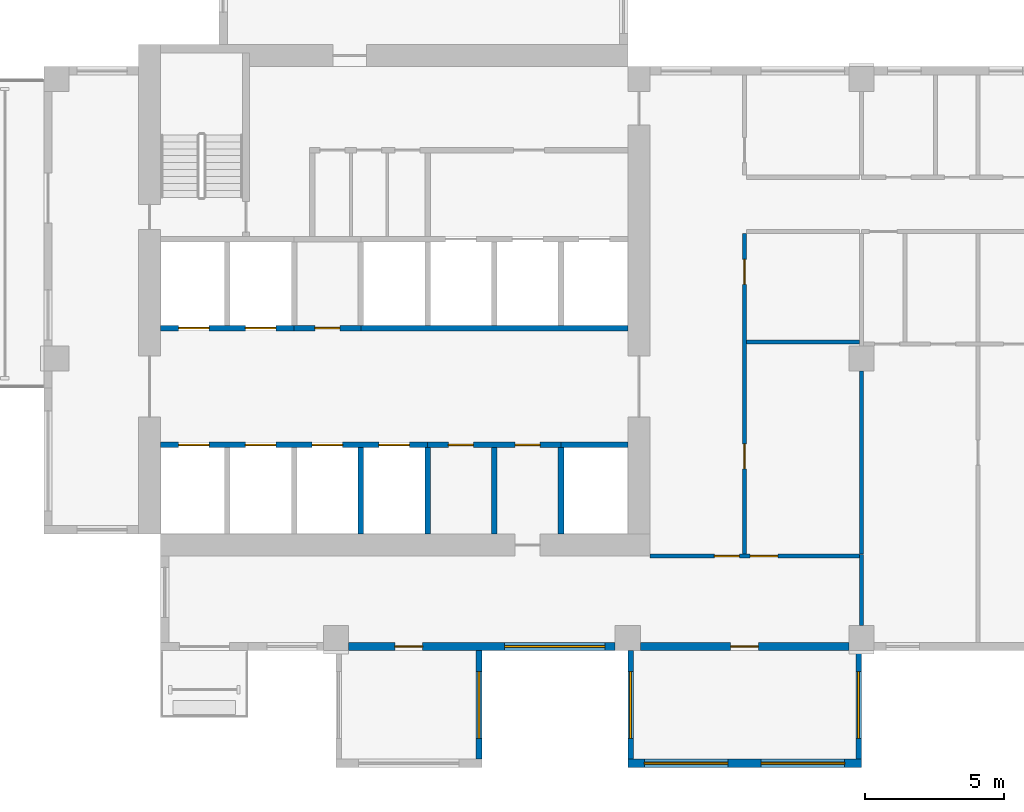
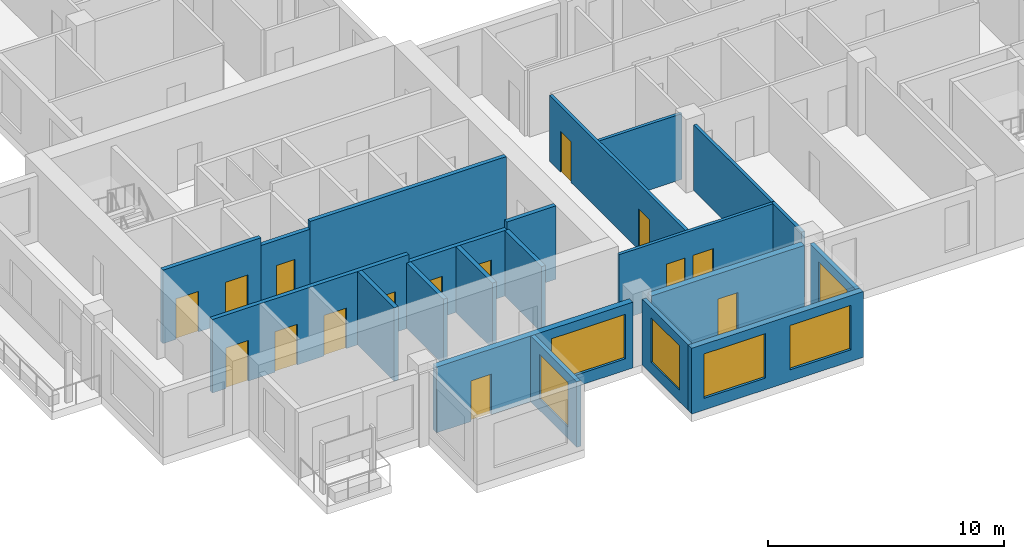
# One storey, part 2 of 12: 21 walls, 15 doors, 6 windows, 21 openings.
"""IFC4 building model written with IfcOpenShell, lengths in metres."""

from ifc_helpers import new_model, si_unit, direction, frame, frame_2d, origin, place, context, subcontext, project, spatial, rectangle, extrude, source, transform, mapped, material, layer, layer_set, type_object, element, fill, save


model = new_model("IFC4")

# Units and contexts
model_context = context("Model", 3, precision=1e-05, world=origin(), true_north=direction((0.0, 1.0)))
body_context = subcontext(model_context, "Body", "Model", "MODEL_VIEW")
ifc_project = project(units=[si_unit("LENGTHUNIT", "METRE"), si_unit("AREAUNIT", "SQUARE_METRE"), si_unit("VOLUMEUNIT", "CUBIC_METRE"), si_unit("PLANEANGLEUNIT", "RADIAN"), si_unit("MASSUNIT", "GRAM", prefix="KILO")], contexts=[model_context])

# Site, building, storey
site_placement = place(None, origin())
site = spatial("IfcSite", under=ifc_project, at=site_placement, CompositionType="ELEMENT")
building_placement = place(site_placement, origin())
building = spatial("IfcBuilding", under=site, at=building_placement, Name="Aurelian Terraces", CompositionType="ELEMENT")
storey_placement = place(building_placement, frame((0.0, 0.0, 223.4)))
storey = spatial("IfcBuildingStorey", under=building, at=storey_placement, Name="L50", CompositionType="ELEMENT", Elevation=223.4)

# Wall, openings, windows
ifc_material_1 = material(Name="Concrete fc' 40 MPa", Category="concrete")
ifc_layer_1 = layer(ifc_material_1, 0.3)
ifc_layer_set_1 = layer_set([ifc_layer_1], Name="BOX BEARING WALL 300")
wall_type_1 = type_object("IfcWallType", Name="BOX BEARING WALL 300", PredefinedType="SOLIDWALL", material=ifc_layer_set_1)
wall_1_placement = place(storey_placement, frame((21.0, -4.05, 0.0), z_axis=(0.0, 0.0, 1.0), x_axis=(1.0, 0.0, 0.0)))
wall_1 = element("IfcWall", 1, at=wall_1_placement, inside=storey, type_object=wall_type_1, Name="Box wall L50 J71", PredefinedType="SOLIDWALL", context=body_context, shape_type="SweptSolid", body=[
    extrude(rectangle(XDim=8.4, YDim=0.3, at=frame_2d((4.2, 0.0))), origin(), (0.0, 0.0, 1.0), 3.4),
])
shared_shape_1 = source(origin(), body_context, "Body", "SweptSolid", [
    extrude(rectangle(XDim=3.0, YDim=2.3, at=frame_2d((1.5, 1.15))), frame((0.0, 0.16, 0.0), z_axis=(0.0, -1.0, 0.0), x_axis=(1.0, 0.0, 0.0)), (0.0, 0.0, 1.0), 0.32),
])
opening_1_placement = place(wall_1_placement, frame((0.6, 0.0, 0.6)))
opening_1 = element("IfcOpeningElement", 2, at=opening_1_placement, cuts=wall_1, Name="Opening W3023", PredefinedType="OPENING", context=body_context, shape_type="MappedRepresentation", body=[
    mapped(shared_shape_1, transform((0.0, 0.0, 0.0), scale=1.0)),
])
opening_2_placement = place(wall_1_placement, frame((4.8, 0.0, 0.6)))
opening_2 = element("IfcOpeningElement", 3, at=opening_2_placement, cuts=wall_1, Name="Opening W3023", PredefinedType="OPENING", context=body_context, shape_type="MappedRepresentation", body=[
    mapped(shared_shape_1, transform((0.0, 0.0, 0.0), scale=1.0)),
])
ifc_material_2 = material(Name="Clear glazing", Category="glass")
window_type_1 = type_object("IfcWindowType", Name="W-3000x2300", PartitioningType="SINGLE_PANEL", PredefinedType="WINDOW", material=ifc_material_2)
shared_shape_2 = source(origin(), body_context, "Body", "SweptSolid", [
    extrude(rectangle(XDim=3.0, YDim=2.3, at=frame_2d((1.5, 1.15))), frame((0.0, 0.03, 0.0), z_axis=(0.0, -1.0, 0.0), x_axis=(1.0, 0.0, 0.0)), (0.0, 0.0, 1.0), 0.06),
])
window_1_placement = place(opening_1_placement, origin())
window_1 = element("IfcWindow", 4, at=window_1_placement, inside=storey, type_object=window_type_1, Name="Window L50 J71-F1", OverallHeight=2.3, OverallWidth=3.0, PartitioningType="SINGLE_PANEL", PredefinedType="WINDOW", context=body_context, shape_type="MappedRepresentation", body=[
    mapped(shared_shape_2, transform((0.0, 0.0, 0.0), scale=1.0)),
])
fill(opening_1, window_1)
window_2_placement = place(opening_2_placement, origin())
window_2 = element("IfcWindow", 5, at=window_2_placement, inside=storey, type_object=window_type_1, Name="Window L50 J71-F2", OverallHeight=2.3, OverallWidth=3.0, PartitioningType="SINGLE_PANEL", PredefinedType="WINDOW", context=body_context, shape_type="MappedRepresentation", body=[
    mapped(shared_shape_2, transform((0.0, 0.0, 0.0), scale=1.0)),
])
fill(opening_2, window_2)

# Wall
ifc_material_3 = material(Name="Gypsum board on steel studs", Category="steel")
ifc_layer_2 = layer(ifc_material_3, 0.15)
ifc_layer_set_2 = layer_set([ifc_layer_2], Name="Partition 150")
wall_type_2 = type_object("IfcWallType", Name="Partition 150", PredefinedType="PARTITIONING", material=ifc_layer_set_2)
wall_2_placement = place(storey_placement, frame((29.325, 11.1, 0.0), z_axis=(0.0, 0.0, 1.0), x_axis=(-1.0, 0.0, 0.0)))
element("IfcWall", 6, at=wall_2_placement, inside=storey, type_object=wall_type_2, Name="Partition", PredefinedType="PARTITIONING", context=body_context, shape_type="SweptSolid", body=[
    extrude(rectangle(XDim=4.05, YDim=0.15, at=frame_2d((2.025, 0.0))), origin(), (0.0, 0.0, 1.0), 3.4),
])

# Wall, opening, door
ifc_material_4 = material(Name="Terracotta rainscreen cladding", Category="masonry")
ifc_layer_3 = layer(ifc_material_4, 0.3)
ifc_layer_set_3 = layer_set([ifc_layer_3], Name="EW-300")
wall_type_3 = type_object("IfcWallType", Name="EW-300", PredefinedType="STANDARD", material=ifc_layer_set_3)
shared_shape_3 = source(origin(), body_context, "Body", "SweptSolid", [
    extrude(rectangle(XDim=7.5, YDim=0.3, at=frame_2d((3.75, 0.0))), origin(), (0.0, 0.0, 1.0), 3.4),
])
wall_3_placement = place(storey_placement, frame((21.45, 0.15, 0.0), z_axis=(0.0, 0.0, 1.0), x_axis=(1.0, 0.0, 0.0)))
wall_3 = element("IfcWall", 7, at=wall_3_placement, inside=storey, type_object=wall_type_3, Name="External wall L50 F01.4", PredefinedType="STANDARD", context=body_context, shape_type="MappedRepresentation", body=[
    mapped(shared_shape_3, transform((0.0, 0.0, 0.0), scale=1.0)),
])
shared_shape_4 = source(origin(), body_context, "Body", "SweptSolid", [
    extrude(rectangle(XDim=1.0, YDim=2.1, at=frame_2d((0.5, 1.05))), frame((0.0, 0.16, 0.0), z_axis=(0.0, -1.0, 0.0), x_axis=(1.0, 0.0, 0.0)), (0.0, 0.0, 1.0), 0.32),
])
opening_3_placement = place(wall_3_placement, frame((3.25, 0.0, 0.0)))
opening_3 = element("IfcOpeningElement", 8, at=opening_3_placement, cuts=wall_3, Name="Opening 850002", PredefinedType="OPENING", context=body_context, shape_type="MappedRepresentation", body=[
    mapped(shared_shape_4, transform((0.0, 0.0, 0.0), scale=1.0)),
])
ifc_material_5 = material(Name="Timber door leaf", Category="wood")
door_type_1 = type_object("IfcDoorType", Name="Room door 1000x2100 left", OperationType="SINGLE_SWING_LEFT", PredefinedType="DOOR", material=ifc_material_5)
shared_shape_5 = source(origin(), body_context, "Body", "SweptSolid", [
    extrude(rectangle(XDim=1.0, YDim=2.1, at=frame_2d((0.5, 1.05))), frame((0.0, 0.025, 0.0), z_axis=(0.0, -1.0, 0.0), x_axis=(1.0, 0.0, 0.0)), (0.0, 0.0, 1.0), 0.05),
])
door_1_placement = place(opening_3_placement, origin())
door_1 = element("IfcDoor", 9, at=door_1_placement, inside=storey, type_object=door_type_1, Name="Door 850002", OperationType="SINGLE_SWING_LEFT", OverallHeight=2.1, OverallWidth=1.0, PredefinedType="DOOR", context=body_context, shape_type="MappedRepresentation", body=[
    mapped(shared_shape_5, transform((0.0, 0.0, 0.0), scale=1.0)),
])
fill(opening_3, door_1)

# Wall, opening, window
ifc_layer_4 = layer(ifc_material_1, 0.2)
ifc_layer_set_4 = layer_set([ifc_layer_4], Name="BOX BEARING WALL 200")
wall_type_4 = type_object("IfcWallType", Name="BOX BEARING WALL 200", PredefinedType="SOLIDWALL", material=ifc_layer_set_4)
shared_shape_6 = source(origin(), body_context, "Body", "SweptSolid", [
    extrude(rectangle(XDim=3.9, YDim=0.2, at=frame_2d((1.95, 0.0))), origin(), (0.0, 0.0, 1.0), 3.4),
])
wall_4_placement = place(storey_placement, frame((15.65, 0.0, 0.0), z_axis=(0.0, 0.0, 1.0), x_axis=(0.0, -1.0, 0.0)))
wall_4 = element("IfcWall", 10, at=wall_4_placement, inside=storey, type_object=wall_type_4, Name="Box return L50 J70.2", PredefinedType="SOLIDWALL", context=body_context, shape_type="MappedRepresentation", body=[
    mapped(shared_shape_6, transform((0.0, 0.0, 0.0), scale=1.0)),
])
shared_shape_7 = source(origin(), body_context, "Body", "SweptSolid", [
    extrude(rectangle(XDim=2.4, YDim=2.3, at=frame_2d((1.2, 1.15))), frame((0.0, 0.11, 0.0), z_axis=(0.0, -1.0, 0.0), x_axis=(1.0, 0.0, 0.0)), (0.0, 0.0, 1.0), 0.22),
])
opening_4_placement = place(wall_4_placement, frame((0.75, 0.0, 0.6)))
opening_4 = element("IfcOpeningElement", 11, at=opening_4_placement, cuts=wall_4, Name="Opening W2423", PredefinedType="OPENING", context=body_context, shape_type="MappedRepresentation", body=[
    mapped(shared_shape_7, transform((0.0, 0.0, 0.0), scale=1.0)),
])
window_type_2 = type_object("IfcWindowType", Name="W-2400x2300", PartitioningType="SINGLE_PANEL", PredefinedType="WINDOW", material=ifc_material_2)
shared_shape_8 = source(origin(), body_context, "Body", "SweptSolid", [
    extrude(rectangle(XDim=2.4, YDim=2.3, at=frame_2d((1.2, 1.15))), frame((0.0, 0.03, 0.0), z_axis=(0.0, -1.0, 0.0), x_axis=(1.0, 0.0, 0.0)), (0.0, 0.0, 1.0), 0.06),
])
window_3_placement = place(opening_4_placement, origin())
window_3 = element("IfcWindow", 12, at=window_3_placement, inside=storey, type_object=window_type_2, Name="Window L50 J70-S2", OverallHeight=2.3, OverallWidth=2.4, PartitioningType="SINGLE_PANEL", PredefinedType="WINDOW", context=body_context, shape_type="MappedRepresentation", body=[
    mapped(shared_shape_8, transform((0.0, 0.0, 0.0), scale=1.0)),
])
fill(opening_4, window_3)

wall_5_placement = place(storey_placement, frame((21.1, 0.0, 0.0), z_axis=(0.0, 0.0, 1.0), x_axis=(0.0, -1.0, 0.0)))
wall_5 = element("IfcWall", 13, at=wall_5_placement, inside=storey, type_object=wall_type_4, Name="Box return L50 J71.1", PredefinedType="SOLIDWALL", context=body_context, shape_type="MappedRepresentation", body=[
    mapped(shared_shape_6, transform((0.0, 0.0, 0.0), scale=1.0)),
])
opening_5_placement = place(wall_5_placement, frame((0.75, 0.0, 0.6)))
opening_5 = element("IfcOpeningElement", 14, at=opening_5_placement, cuts=wall_5, Name="Opening W2423", PredefinedType="OPENING", context=body_context, shape_type="MappedRepresentation", body=[
    mapped(shared_shape_7, transform((0.0, 0.0, 0.0), scale=1.0)),
])
window_4_placement = place(opening_5_placement, origin())
window_4 = element("IfcWindow", 15, at=window_4_placement, inside=storey, type_object=window_type_2, Name="Window L50 J71-S1", OverallHeight=2.3, OverallWidth=2.4, PartitioningType="SINGLE_PANEL", PredefinedType="WINDOW", context=body_context, shape_type="MappedRepresentation", body=[
    mapped(shared_shape_8, transform((0.0, 0.0, 0.0), scale=1.0)),
])
fill(opening_5, window_4)

wall_6_placement = place(storey_placement, frame((29.3, 0.0, 0.0), z_axis=(0.0, 0.0, 1.0), x_axis=(0.0, -1.0, 0.0)))
wall_6 = element("IfcWall", 16, at=wall_6_placement, inside=storey, type_object=wall_type_4, Name="Box return L50 J71.2", PredefinedType="SOLIDWALL", context=body_context, shape_type="MappedRepresentation", body=[
    mapped(shared_shape_6, transform((0.0, 0.0, 0.0), scale=1.0)),
])
opening_6_placement = place(wall_6_placement, frame((0.75, 0.0, 0.6)))
opening_6 = element("IfcOpeningElement", 17, at=opening_6_placement, cuts=wall_6, Name="Opening W2423", PredefinedType="OPENING", context=body_context, shape_type="MappedRepresentation", body=[
    mapped(shared_shape_7, transform((0.0, 0.0, 0.0), scale=1.0)),
])
window_5_placement = place(opening_6_placement, origin())
window_5 = element("IfcWindow", 18, at=window_5_placement, inside=storey, type_object=window_type_2, Name="Window L50 J71-S2", OverallHeight=2.3, OverallWidth=2.4, PartitioningType="SINGLE_PANEL", PredefinedType="WINDOW", context=body_context, shape_type="MappedRepresentation", body=[
    mapped(shared_shape_8, transform((0.0, 0.0, 0.0), scale=1.0)),
])
fill(opening_6, window_5)

# Wall, openings, window, door
shared_shape_9 = source(origin(), body_context, "Body", "SweptSolid", [
    extrude(rectangle(XDim=9.6, YDim=0.3, at=frame_2d((4.8, 0.0))), origin(), (0.0, 0.0, 1.0), 3.4),
])
wall_7_placement = place(storey_placement, frame((10.95, 0.15, 0.0), z_axis=(0.0, 0.0, 1.0), x_axis=(1.0, 0.0, 0.0)))
wall_7 = element("IfcWall", 19, at=wall_7_placement, inside=storey, type_object=wall_type_3, Name="External wall L50 F01.3", PredefinedType="STANDARD", context=body_context, shape_type="MappedRepresentation", body=[
    mapped(shared_shape_9, transform((0.0, 0.0, 0.0), scale=1.0)),
])
shared_shape_10 = source(origin(), body_context, "Body", "SweptSolid", [
    extrude(rectangle(XDim=3.6, YDim=2.3, at=frame_2d((1.8, 1.15))), frame((0.0, 0.16, 0.0), z_axis=(0.0, -1.0, 0.0), x_axis=(1.0, 0.0, 0.0)), (0.0, 0.0, 1.0), 0.32),
])
opening_7_placement = place(wall_7_placement, frame((5.625, 0.0, 0.6)))
opening_7 = element("IfcOpeningElement", 20, at=opening_7_placement, cuts=wall_7, Name="Opening W3623", PredefinedType="OPENING", context=body_context, shape_type="MappedRepresentation", body=[
    mapped(shared_shape_10, transform((0.0, 0.0, 0.0), scale=1.0)),
])
opening_8_placement = place(wall_7_placement, frame((1.675, 0.0, 0.0)))
opening_8 = element("IfcOpeningElement", 21, at=opening_8_placement, cuts=wall_7, Name="Opening 850001", PredefinedType="OPENING", context=body_context, shape_type="MappedRepresentation", body=[
    mapped(shared_shape_4, transform((0.0, 0.0, 0.0), scale=1.0)),
])
window_type_3 = type_object("IfcWindowType", Name="W-3600x2300", PartitioningType="SINGLE_PANEL", PredefinedType="WINDOW", material=ifc_material_2)
shared_shape_11 = source(origin(), body_context, "Body", "SweptSolid", [
    extrude(rectangle(XDim=3.6, YDim=2.3, at=frame_2d((1.8, 1.15))), frame((0.0, 0.03, 0.0), z_axis=(0.0, -1.0, 0.0), x_axis=(1.0, 0.0, 0.0)), (0.0, 0.0, 1.0), 0.06),
])
window_6_placement = place(opening_7_placement, origin())
window_6 = element("IfcWindow", 22, at=window_6_placement, inside=storey, type_object=window_type_3, Name="Window L50 L50-F01-03-1", OverallHeight=2.3, OverallWidth=3.6, PartitioningType="SINGLE_PANEL", PredefinedType="WINDOW", context=body_context, shape_type="MappedRepresentation", body=[
    mapped(shared_shape_11, transform((0.0, 0.0, 0.0), scale=1.0)),
])
fill(opening_7, window_6)
door_2_placement = place(opening_8_placement, origin())
door_2 = element("IfcDoor", 23, at=door_2_placement, inside=storey, type_object=door_type_1, Name="Door 850001", OperationType="SINGLE_SWING_LEFT", OverallHeight=2.1, OverallWidth=1.0, PredefinedType="DOOR", context=body_context, shape_type="MappedRepresentation", body=[
    mapped(shared_shape_5, transform((0.0, 0.0, 0.0), scale=1.0)),
])
fill(opening_8, door_2)

# Walls
ifc_layer_5 = layer(ifc_material_1, 0.2)
ifc_layer_set_5 = layer_set([ifc_layer_5], Name="Lift shaft wall 200")
wall_type_5 = type_object("IfcWallType", Name="Lift shaft wall 200", PredefinedType="SOLIDWALL", material=ifc_layer_set_5)
shared_shape_12 = source(origin(), body_context, "Body", "SweptSolid", [
    extrude(rectangle(XDim=3.1, YDim=0.2, at=frame_2d((1.55, 0.0))), origin(), (0.0, 0.0, 1.0), 3.8),
])
wall_8_placement = place(storey_placement, frame((11.4, 4.2, 0.0), z_axis=(0.0, 0.0, 1.0), x_axis=(0.0, 1.0, 0.0)))
element("IfcWall", 24, at=wall_8_placement, inside=storey, type_object=wall_type_5, Name="L50 core wall CD-A3", PredefinedType="SOLIDWALL", context=body_context, shape_type="MappedRepresentation", body=[
    mapped(shared_shape_12, transform((0.0, 0.0, 0.0), scale=1.0)),
])
shared_shape_13 = source(origin(), body_context, "Body", "SweptSolid", [
    extrude(rectangle(XDim=3.1, YDim=0.2, at=frame_2d((1.55, 0.0))), origin(), (0.0, 0.0, 1.0), 3.4),
])
for number, where, z_axis, x_axis, name in (
    (25, (13.8, 4.2, 0.0), (0.0, 0.0, 1.0), (0.0, 1.0, 0.0), "L50 core wall CD-A4"),
    (26, (18.6, 4.2, 0.0), (0.0, 0.0, 1.0), (0.0, 1.0, 0.0), "L50 core wall CD-A6"),
):
    element("IfcWall", number, at=place(storey_placement, frame(where, z_axis=z_axis, x_axis=x_axis)), inside=storey, type_object=wall_type_5, Name=name, PredefinedType="SOLIDWALL", context=body_context, shape_type="MappedRepresentation", body=[
        mapped(shared_shape_13, transform((0.0, 0.0, 0.0), scale=1.0)),
    ])

# Wall, openings, doors
shared_shape_14 = source(origin(), body_context, "Body", "SweptSolid", [
    extrude(rectangle(XDim=9.6, YDim=0.2, at=frame_2d((4.8, 0.0))), origin(), (0.0, 0.0, 1.0), 3.8),
])
wall_9_placement = place(storey_placement, frame((4.2, 7.4, 0.0), z_axis=(0.0, 0.0, 1.0), x_axis=(1.0, 0.0, 0.0)))
wall_9 = element("IfcWall", 27, at=wall_9_placement, inside=storey, type_object=wall_type_5, Name="L50 core wall CF-AF1", PredefinedType="SOLIDWALL", context=body_context, shape_type="MappedRepresentation", body=[
    mapped(shared_shape_14, transform((0.0, 0.0, 0.0), scale=1.0)),
])
shared_shape_15 = source(origin(), body_context, "Body", "SweptSolid", [
    extrude(rectangle(XDim=1.1, YDim=2.1, at=frame_2d((0.55, 1.05))), frame((0.0, 0.11, 0.0), z_axis=(0.0, -1.0, 0.0), x_axis=(1.0, 0.0, 0.0)), (0.0, 0.0, 1.0), 0.22),
])
opening_9_placement = place(wall_9_placement, frame((0.65, 0.0, 0.0)))
opening_9 = element("IfcOpeningElement", 28, at=opening_9_placement, cuts=wall_9, Name="Opening 65300", PredefinedType="OPENING", context=body_context, shape_type="MappedRepresentation", body=[
    mapped(shared_shape_15, transform((0.0, 0.0, 0.0), scale=1.0)),
])
opening_10_placement = place(wall_9_placement, frame((3.05, 0.0, 0.0)))
opening_10 = element("IfcOpeningElement", 29, at=opening_10_placement, cuts=wall_9, Name="Opening 65301", PredefinedType="OPENING", context=body_context, shape_type="MappedRepresentation", body=[
    mapped(shared_shape_15, transform((0.0, 0.0, 0.0), scale=1.0)),
])
opening_11_placement = place(wall_9_placement, frame((5.45, 0.0, 0.0)))
opening_11 = element("IfcOpeningElement", 30, at=opening_11_placement, cuts=wall_9, Name="Opening 65302", PredefinedType="OPENING", context=body_context, shape_type="MappedRepresentation", body=[
    mapped(shared_shape_15, transform((0.0, 0.0, 0.0), scale=1.0)),
])
opening_12_placement = place(wall_9_placement, frame((7.85, 0.0, 0.0)))
opening_12 = element("IfcOpeningElement", 31, at=opening_12_placement, cuts=wall_9, Name="Opening 65303", PredefinedType="OPENING", context=body_context, shape_type="MappedRepresentation", body=[
    mapped(shared_shape_15, transform((0.0, 0.0, 0.0), scale=1.0)),
])
ifc_material_6 = material(Name="Stainless steel", Category="steel")
door_type_2 = type_object("IfcDoorType", Name="Lift landing door 1100x2100", OperationType="SLIDING_TO_LEFT", PredefinedType="DOOR", material=ifc_material_6)
shared_shape_16 = source(origin(), body_context, "Body", "SweptSolid", [
    extrude(rectangle(XDim=1.1, YDim=2.1, at=frame_2d((0.55, 1.05))), frame((0.0, 0.025, 0.0), z_axis=(0.0, -1.0, 0.0), x_axis=(1.0, 0.0, 0.0)), (0.0, 0.0, 1.0), 0.05),
])
door_3_placement = place(opening_9_placement, origin())
door_3 = element("IfcDoor", 32, at=door_3_placement, inside=storey, type_object=door_type_2, Name="Lift landing door LM1 L50", OperationType="SLIDING_TO_LEFT", OverallHeight=2.1, OverallWidth=1.1, PredefinedType="DOOR", context=body_context, shape_type="MappedRepresentation", body=[
    mapped(shared_shape_16, transform((0.0, 0.0, 0.0), scale=1.0)),
])
fill(opening_9, door_3)
door_4_placement = place(opening_10_placement, origin())
door_4 = element("IfcDoor", 33, at=door_4_placement, inside=storey, type_object=door_type_2, Name="Lift landing door LM2 L50", OperationType="SLIDING_TO_LEFT", OverallHeight=2.1, OverallWidth=1.1, PredefinedType="DOOR", context=body_context, shape_type="MappedRepresentation", body=[
    mapped(shared_shape_16, transform((0.0, 0.0, 0.0), scale=1.0)),
])
fill(opening_10, door_4)
door_5_placement = place(opening_11_placement, origin())
door_5 = element("IfcDoor", 34, at=door_5_placement, inside=storey, type_object=door_type_2, Name="Lift landing door LM3 L50", OperationType="SLIDING_TO_LEFT", OverallHeight=2.1, OverallWidth=1.1, PredefinedType="DOOR", context=body_context, shape_type="MappedRepresentation", body=[
    mapped(shared_shape_16, transform((0.0, 0.0, 0.0), scale=1.0)),
])
fill(opening_11, door_5)
door_6_placement = place(opening_12_placement, origin())
door_6 = element("IfcDoor", 35, at=door_6_placement, inside=storey, type_object=door_type_2, Name="Lift landing door LM4 L50", OperationType="SLIDING_TO_LEFT", OverallHeight=2.1, OverallWidth=1.1, PredefinedType="DOOR", context=body_context, shape_type="MappedRepresentation", body=[
    mapped(shared_shape_16, transform((0.0, 0.0, 0.0), scale=1.0)),
])
fill(opening_12, door_6)

# Wall
wall_10_placement = place(storey_placement, frame((11.4, 11.6, 0.0), z_axis=(0.0, 0.0, 1.0), x_axis=(1.0, 0.0, 0.0)))
element("IfcWall", 36, at=wall_10_placement, inside=storey, type_object=wall_type_5, Name="L50 core wall CF-BF3", PredefinedType="SOLIDWALL", context=body_context, shape_type="MappedRepresentation", body=[
    mapped(shared_shape_14, transform((0.0, 0.0, 0.0), scale=1.0)),
])

# Wall, openings, doors
shared_shape_17 = source(origin(), body_context, "Body", "SweptSolid", [
    extrude(rectangle(XDim=4.8, YDim=0.2, at=frame_2d((2.4, 0.0))), origin(), (0.0, 0.0, 1.0), 3.8),
])
wall_11_placement = place(storey_placement, frame((4.2, 11.6, 0.0), z_axis=(0.0, 0.0, 1.0), x_axis=(1.0, 0.0, 0.0)))
wall_11 = element("IfcWall", 37, at=wall_11_placement, inside=storey, type_object=wall_type_5, Name="L50 core wall CF-BF1", PredefinedType="SOLIDWALL", context=body_context, shape_type="MappedRepresentation", body=[
    mapped(shared_shape_17, transform((0.0, 0.0, 0.0), scale=1.0)),
])
opening_13_placement = place(wall_11_placement, frame((0.65, 0.0, 0.0)))
opening_13 = element("IfcOpeningElement", 38, at=opening_13_placement, cuts=wall_11, Name="Opening 65306", PredefinedType="OPENING", context=body_context, shape_type="MappedRepresentation", body=[
    mapped(shared_shape_15, transform((0.0, 0.0, 0.0), scale=1.0)),
])
opening_14_placement = place(wall_11_placement, frame((3.05, 0.0, 0.0)))
opening_14 = element("IfcOpeningElement", 39, at=opening_14_placement, cuts=wall_11, Name="Opening 65307", PredefinedType="OPENING", context=body_context, shape_type="MappedRepresentation", body=[
    mapped(shared_shape_15, transform((0.0, 0.0, 0.0), scale=1.0)),
])
door_7_placement = place(opening_13_placement, origin())
door_7 = element("IfcDoor", 40, at=door_7_placement, inside=storey, type_object=door_type_2, Name="Lift landing door LM5 L50", OperationType="SLIDING_TO_LEFT", OverallHeight=2.1, OverallWidth=1.1, PredefinedType="DOOR", context=body_context, shape_type="MappedRepresentation", body=[
    mapped(shared_shape_16, transform((0.0, 0.0, 0.0), scale=1.0)),
])
fill(opening_13, door_7)
door_8_placement = place(opening_14_placement, origin())
door_8 = element("IfcDoor", 41, at=door_8_placement, inside=storey, type_object=door_type_2, Name="Lift landing door LM6 L50", OperationType="SLIDING_TO_LEFT", OverallHeight=2.1, OverallWidth=1.1, PredefinedType="DOOR", context=body_context, shape_type="MappedRepresentation", body=[
    mapped(shared_shape_16, transform((0.0, 0.0, 0.0), scale=1.0)),
])
fill(opening_14, door_8)

# Wall, opening, door
shared_shape_18 = source(origin(), body_context, "Body", "SweptSolid", [
    extrude(rectangle(XDim=2.4, YDim=0.2, at=frame_2d((1.2, 0.0))), origin(), (0.0, 0.0, 1.0), 3.4),
])
wall_12_placement = place(storey_placement, frame((9.0, 11.6, 0.0), z_axis=(0.0, 0.0, 1.0), x_axis=(1.0, 0.0, 0.0)))
wall_12 = element("IfcWall", 42, at=wall_12_placement, inside=storey, type_object=wall_type_5, Name="L50 core wall CF-BF2", PredefinedType="SOLIDWALL", context=body_context, shape_type="MappedRepresentation", body=[
    mapped(shared_shape_18, transform((0.0, 0.0, 0.0), scale=1.0)),
])
shared_shape_19 = source(origin(), body_context, "Body", "SweptSolid", [
    extrude(rectangle(XDim=0.9, YDim=2.1, at=frame_2d((0.45, 1.05))), frame((0.0, 0.11, 0.0), z_axis=(0.0, -1.0, 0.0), x_axis=(1.0, 0.0, 0.0)), (0.0, 0.0, 1.0), 0.22),
])
opening_15_placement = place(wall_12_placement, frame((0.75, 0.0, 0.0)))
opening_15 = element("IfcOpeningElement", 43, at=opening_15_placement, cuts=wall_12, Name="Opening 65308", PredefinedType="OPENING", context=body_context, shape_type="MappedRepresentation", body=[
    mapped(shared_shape_19, transform((0.0, 0.0, 0.0), scale=1.0)),
])
ifc_material_7 = material(Name="Steel door leaf", Category="steel")
door_type_3 = type_object("IfcDoorType", Name="Core service door 900x2100 right", OperationType="SINGLE_SWING_RIGHT", PredefinedType="DOOR", material=ifc_material_7)
shared_shape_20 = source(origin(), body_context, "Body", "SweptSolid", [
    extrude(rectangle(XDim=0.9, YDim=2.1, at=frame_2d((0.45, 1.05))), frame((0.0, 0.025, 0.0), z_axis=(0.0, -1.0, 0.0), x_axis=(1.0, 0.0, 0.0)), (0.0, 0.0, 1.0), 0.05),
])
door_9_placement = place(opening_15_placement, origin())
door_9 = element("IfcDoor", 44, at=door_9_placement, inside=storey, type_object=door_type_3, Name="Room door 65308", OperationType="SINGLE_SWING_RIGHT", OverallHeight=2.1, OverallWidth=0.9, PredefinedType="DOOR", context=body_context, shape_type="MappedRepresentation", body=[
    mapped(shared_shape_20, transform((0.0, 0.0, 0.0), scale=1.0)),
])
fill(opening_15, door_9)

# Wall, openings, doors
shared_shape_21 = source(origin(), body_context, "Body", "SweptSolid", [
    extrude(rectangle(XDim=4.8, YDim=0.2, at=frame_2d((2.4, 0.0))), origin(), (0.0, 0.0, 1.0), 3.4),
])
wall_13_placement = place(storey_placement, frame((13.8, 7.4, 0.0), z_axis=(0.0, 0.0, 1.0), x_axis=(1.0, 0.0, 0.0)))
wall_13 = element("IfcWall", 45, at=wall_13_placement, inside=storey, type_object=wall_type_5, Name="L50 core wall CF-AF2", PredefinedType="SOLIDWALL", context=body_context, shape_type="MappedRepresentation", body=[
    mapped(shared_shape_21, transform((0.0, 0.0, 0.0), scale=1.0)),
])
opening_16_placement = place(wall_13_placement, frame((0.75, 0.0, 0.0)))
opening_16 = element("IfcOpeningElement", 46, at=opening_16_placement, cuts=wall_13, Name="Opening 65304", PredefinedType="OPENING", context=body_context, shape_type="MappedRepresentation", body=[
    mapped(shared_shape_19, transform((0.0, 0.0, 0.0), scale=1.0)),
])
opening_17_placement = place(wall_13_placement, frame((3.15, 0.0, 0.0)))
opening_17 = element("IfcOpeningElement", 47, at=opening_17_placement, cuts=wall_13, Name="Opening 65305", PredefinedType="OPENING", context=body_context, shape_type="MappedRepresentation", body=[
    mapped(shared_shape_19, transform((0.0, 0.0, 0.0), scale=1.0)),
])
door_10_placement = place(opening_16_placement, origin())
door_10 = element("IfcDoor", 48, at=door_10_placement, inside=storey, type_object=door_type_3, Name="Room door 65304", OperationType="SINGLE_SWING_RIGHT", OverallHeight=2.1, OverallWidth=0.9, PredefinedType="DOOR", context=body_context, shape_type="MappedRepresentation", body=[
    mapped(shared_shape_20, transform((0.0, 0.0, 0.0), scale=1.0)),
])
fill(opening_16, door_10)
door_type_4 = type_object("IfcDoorType", Name="Core service door 900x2100", OperationType="SINGLE_SWING_LEFT", PredefinedType="DOOR", material=ifc_material_7)
door_11_placement = place(opening_17_placement, origin())
door_11 = element("IfcDoor", 49, at=door_11_placement, inside=storey, type_object=door_type_4, Name="Room door 65305", OperationType="SINGLE_SWING_LEFT", OverallHeight=2.1, OverallWidth=0.9, PredefinedType="DOOR", context=body_context, shape_type="MappedRepresentation", body=[
    mapped(shared_shape_20, transform((0.0, 0.0, 0.0), scale=1.0)),
])
fill(opening_17, door_11)

# Walls
shared_shape_22 = source(origin(), body_context, "Body", "SweptSolid", [
    extrude(rectangle(XDim=2.4, YDim=0.2, at=frame_2d((1.2, 0.0))), origin(), (0.0, 0.0, 1.0), 3.8),
])
wall_14_placement = place(storey_placement, frame((18.6, 7.4, 0.0), z_axis=(0.0, 0.0, 1.0), x_axis=(1.0, 0.0, 0.0)))
element("IfcWall", 50, at=wall_14_placement, inside=storey, type_object=wall_type_5, Name="L50 core wall CF-AF3", PredefinedType="SOLIDWALL", context=body_context, shape_type="MappedRepresentation", body=[
    mapped(shared_shape_22, transform((0.0, 0.0, 0.0), scale=1.0)),
])
ifc_layer_6 = layer(ifc_material_3, 0.2)
ifc_layer_set_6 = layer_set([ifc_layer_6], Name="Core partition 200")
wall_type_6 = type_object("IfcWallType", Name="Core partition 200", PredefinedType="PARTITIONING", material=ifc_layer_set_6)
shared_shape_23 = source(origin(), body_context, "Body", "SweptSolid", [
    extrude(rectangle(XDim=3.1, YDim=0.2, at=frame_2d((1.55, 0.0))), origin(), (0.0, 0.0, 1.0), 3.4),
])
wall_15_placement = place(storey_placement, frame((16.2, 4.2, 0.0), z_axis=(0.0, 0.0, 1.0), x_axis=(0.0, 1.0, 0.0)))
element("IfcWall", 51, at=wall_15_placement, inside=storey, type_object=wall_type_6, Name="L50 core wall CS-A5", PredefinedType="PARTITIONING", context=body_context, shape_type="MappedRepresentation", body=[
    mapped(shared_shape_23, transform((0.0, 0.0, 0.0), scale=1.0)),
])
shared_shape_24 = source(origin(), body_context, "Body", "SweptSolid", [
    extrude(rectangle(XDim=6.576, YDim=0.15, at=frame_2d((3.288, 0.0))), origin(), (0.0, 0.0, 1.0), 3.4),
])
wall_16_placement = place(storey_placement, frame((29.4, 3.475, 0.0), z_axis=(0.0, 0.0, 1.0), x_axis=(0.0, 1.0, 0.0)))
element("IfcWall", 52, at=wall_16_placement, inside=storey, type_object=wall_type_2, Name="Partition", PredefinedType="PARTITIONING", context=body_context, shape_type="MappedRepresentation", body=[
    mapped(shared_shape_24, transform((0.0, 0.0, 0.0), scale=1.0)),
])
ifc_layer_7 = layer(ifc_material_3, 0.15)
ifc_layer_set_7 = layer_set([ifc_layer_7], Name="Fire partition 150")
wall_type_7 = type_object("IfcWallType", Name="Fire partition 150", PredefinedType="PARTITIONING", material=ifc_layer_set_7)
shared_shape_25 = source(origin(), body_context, "Body", "SweptSolid", [
    extrude(rectangle(XDim=2.556, YDim=0.15, at=frame_2d((1.278, 0.0))), origin(), (0.0, 0.0, 1.0), 3.4),
])
wall_17_placement = place(storey_placement, frame((29.4, 0.899, 0.0), z_axis=(0.0, 0.0, 1.0), x_axis=(0.0, 1.0, 0.0)))
element("IfcWall", 53, at=wall_17_placement, inside=storey, type_object=wall_type_7, Name="Party wall", PredefinedType="PARTITIONING", context=body_context, shape_type="MappedRepresentation", body=[
    mapped(shared_shape_25, transform((0.0, 0.0, 0.0), scale=1.0)),
])

# Wall, openings, doors
shared_shape_26 = source(origin(), body_context, "Body", "SweptSolid", [
    extrude(rectangle(XDim=11.525, YDim=0.15, at=frame_2d((5.7625, 0.0))), origin(), (0.0, 0.0, 1.0), 3.4),
])
wall_18_placement = place(storey_placement, frame((25.2, 15.0, 0.0), z_axis=(0.0, 0.0, 1.0), x_axis=(0.0, -1.0, 0.0)))
wall_18 = element("IfcWall", 54, at=wall_18_placement, inside=storey, type_object=wall_type_2, Name="Partition", PredefinedType="PARTITIONING", context=body_context, shape_type="MappedRepresentation", body=[
    mapped(shared_shape_26, transform((0.0, 0.0, 0.0), scale=1.0)),
])
shared_shape_27 = source(origin(), body_context, "Body", "SweptSolid", [
    extrude(rectangle(XDim=0.9, YDim=2.1, at=frame_2d((0.45, 1.05))), frame((0.0, 0.085, 0.0), z_axis=(0.0, -1.0, 0.0), x_axis=(1.0, 0.0, 0.0)), (0.0, 0.0, 1.0), 0.17),
])
opening_18_placement = place(wall_18_placement, frame((7.5625, 0.0, 0.0)))
opening_18 = element("IfcOpeningElement", 55, at=opening_18_placement, cuts=wall_18, Name="Opening 750001", PredefinedType="OPENING", context=body_context, shape_type="MappedRepresentation", body=[
    mapped(shared_shape_27, transform((0.0, 0.0, 0.0), scale=1.0)),
])
opening_19_placement = place(wall_18_placement, frame((0.925, 0.0, 0.0)))
opening_19 = element("IfcOpeningElement", 56, at=opening_19_placement, cuts=wall_18, Name="Opening 750002", PredefinedType="OPENING", context=body_context, shape_type="MappedRepresentation", body=[
    mapped(shared_shape_27, transform((0.0, 0.0, 0.0), scale=1.0)),
])
door_type_5 = type_object("IfcDoorType", Name="Room door 900x2100 left", OperationType="SINGLE_SWING_LEFT", PredefinedType="DOOR", material=ifc_material_5)
door_12_placement = place(opening_18_placement, origin())
door_12 = element("IfcDoor", 57, at=door_12_placement, inside=storey, type_object=door_type_5, Name="Door 750001", OperationType="SINGLE_SWING_LEFT", OverallHeight=2.1, OverallWidth=0.9, PredefinedType="DOOR", context=body_context, shape_type="MappedRepresentation", body=[
    mapped(shared_shape_20, transform((0.0, 0.0, 0.0), scale=1.0)),
])
fill(opening_18, door_12)
door_type_6 = type_object("IfcDoorType", Name="Room door 900x2100 right", OperationType="SINGLE_SWING_RIGHT", PredefinedType="DOOR", material=ifc_material_5)
door_13_placement = place(opening_19_placement, origin())
door_13 = element("IfcDoor", 58, at=door_13_placement, inside=storey, type_object=door_type_6, Name="Door 750002", OperationType="SINGLE_SWING_RIGHT", OverallHeight=2.1, OverallWidth=0.9, PredefinedType="DOOR", context=body_context, shape_type="MappedRepresentation", body=[
    mapped(shared_shape_20, transform((0.0, 0.0, 0.0), scale=1.0)),
])
fill(opening_19, door_13)

shared_shape_28 = source(origin(), body_context, "Body", "SweptSolid", [
    extrude(rectangle(XDim=7.525, YDim=0.15, at=frame_2d((3.7625, 0.0))), origin(), (0.0, 0.0, 1.0), 3.4),
])
wall_19_placement = place(storey_placement, frame((21.8, 3.4, 0.0), z_axis=(0.0, 0.0, 1.0), x_axis=(1.0, 0.0, 0.0)))
wall_19 = element("IfcWall", 59, at=wall_19_placement, inside=storey, type_object=wall_type_2, Name="Partition", PredefinedType="PARTITIONING", context=body_context, shape_type="MappedRepresentation", body=[
    mapped(shared_shape_28, transform((0.0, 0.0, 0.0), scale=1.0)),
])
shared_shape_29 = source(origin(), body_context, "Body", "SweptSolid", [
    extrude(rectangle(XDim=1.0, YDim=2.1, at=frame_2d((0.5, 1.05))), frame((0.0, 0.085, 0.0), z_axis=(0.0, -1.0, 0.0), x_axis=(1.0, 0.0, 0.0)), (0.0, 0.0, 1.0), 0.17),
])
opening_20_placement = place(wall_19_placement, frame((3.6, 0.0, 0.0)))
opening_20 = element("IfcOpeningElement", 60, at=opening_20_placement, cuts=wall_19, Name="Opening 750004", PredefinedType="OPENING", context=body_context, shape_type="MappedRepresentation", body=[
    mapped(shared_shape_29, transform((0.0, 0.0, 0.0), scale=1.0)),
])
opening_21_placement = place(wall_19_placement, frame((2.312, 0.0, 0.0)))
opening_21 = element("IfcOpeningElement", 61, at=opening_21_placement, cuts=wall_19, Name="Opening 750039", PredefinedType="OPENING", context=body_context, shape_type="MappedRepresentation", body=[
    mapped(shared_shape_27, transform((0.0, 0.0, 0.0), scale=1.0)),
])
door_type_7 = type_object("IfcDoorType", Name="Room door 1000x2100 right", OperationType="SINGLE_SWING_RIGHT", PredefinedType="DOOR", material=ifc_material_5)
door_14_placement = place(opening_20_placement, origin())
door_14 = element("IfcDoor", 62, at=door_14_placement, inside=storey, type_object=door_type_7, Name="Door 750004", OperationType="SINGLE_SWING_RIGHT", OverallHeight=2.1, OverallWidth=1.0, PredefinedType="DOOR", context=body_context, shape_type="MappedRepresentation", body=[
    mapped(shared_shape_5, transform((0.0, 0.0, 0.0), scale=1.0)),
])
fill(opening_20, door_14)
door_15_placement = place(opening_21_placement, origin())
door_15 = element("IfcDoor", 63, at=door_15_placement, inside=storey, type_object=door_type_5, Name="Door 750039", OperationType="SINGLE_SWING_LEFT", OverallHeight=2.1, OverallWidth=0.9, PredefinedType="DOOR", context=body_context, shape_type="MappedRepresentation", body=[
    mapped(shared_shape_20, transform((0.0, 0.0, 0.0), scale=1.0)),
])
fill(opening_21, door_15)

save(model, "model.ifc")
